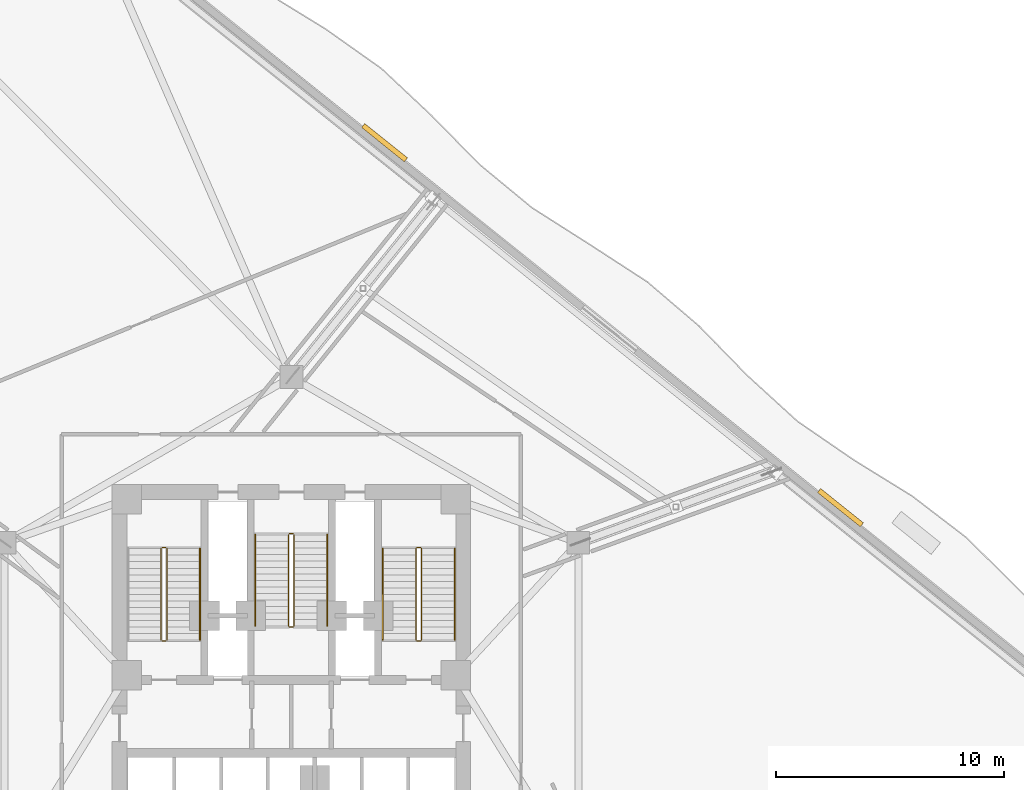
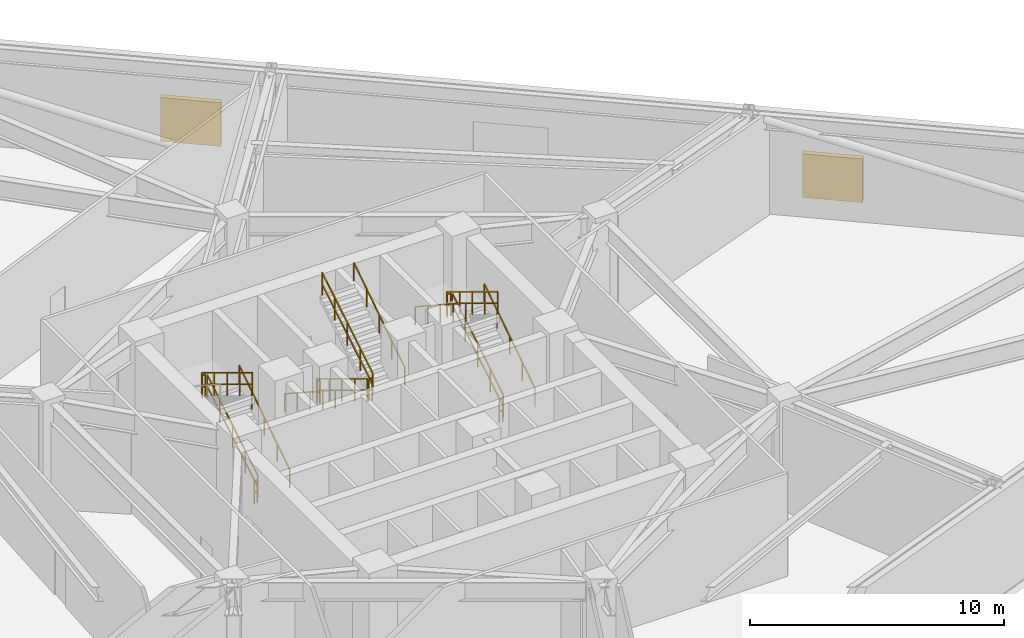
# One storey, part 17 of 18: 17 railings, 2 shading devices.
"""IFC4 building model written with IfcOpenShell, lengths in metres."""

import ifcopenshell
import ifcopenshell.guid

model = None  # the IFC model being written
_history = None  # IfcOwnerHistory: only IFC2X3 demands one
_inside = {}  # id of a spatial element -> (the spatial element, [elements in it])
_under = {}  # id of a project, library or spatial element -> (it, [spatial elements below it])
_declared = {}  # id of a project -> (the project, [libraries it declares])
_typed = {}  # id of a type object -> (the type object, [elements of that type])
_made_of = {}  # id of a material, layer set ... -> (it, [elements and type objects made of it])


def new_model(schema):
    """Start an empty IFC model of exactly this schema.

    Asked for "IFC4X3", IfcOpenShell would pick the latest addendum, in which some entities
    have other attributes; the version numbers below select the first issue.
    IFC2X3 requires an IfcOwnerHistory on every rooted entity: one is made here for all.
    """
    global model, _history
    if schema == "IFC4X3":
        model = ifcopenshell.file(schema_version=(4, 3, 0, 0))
    else:
        model = ifcopenshell.file(schema=schema)
    _inside.clear()
    _under.clear()
    _declared.clear()
    _typed.clear()
    _made_of.clear()
    _history = None
    if model.schema == "IFC2X3":
        org = make("IfcOrganization", Name="unknown")
        user = make(
            "IfcPersonAndOrganization",
            ThePerson=make("IfcPerson", FamilyName="unknown"),
            TheOrganization=org,
        )
        app = make(
            "IfcApplication",
            ApplicationDeveloper=org,
            Version="unknown",
            ApplicationFullName="unknown",
            ApplicationIdentifier="unknown",
        )
        _history = make(
            "IfcOwnerHistory",
            OwningUser=user,
            OwningApplication=app,
            ChangeAction="ADDED",
            CreationDate=0,
        )
    return model


def make(cls, **values):
    """One entity of the class cls with the attributes given. An attribute that is None is left unset."""
    return model.create_entity(
        cls, **{name: value for name, value in values.items() if value is not None}
    )


def rooted(cls, **values):
    """An entity with a GlobalId (a new one), such as an element, a storey or a relation."""
    return make(cls, GlobalId=ifcopenshell.guid.new(), OwnerHistory=_history, **values)


def si_unit(unit_type, name, prefix=None):
    """IfcSIUnit, for example si_unit("LENGTHUNIT", "METRE", prefix="MILLI")."""
    return make("IfcSIUnit", UnitType=unit_type, Prefix=prefix, Name=name)


def assignment(units):
    """IfcUnitAssignment: the units of a project."""
    return None if units is None else make("IfcUnitAssignment", Units=units)


def point(xyz):
    """IfcCartesianPoint."""
    return None if xyz is None else make("IfcCartesianPoint", Coordinates=xyz)


def direction(xyz):
    """IfcDirection."""
    return None if xyz is None else make("IfcDirection", DirectionRatios=xyz)


def frame(location, z_axis=None, x_axis=None):
    """IfcAxis2Placement3D, a coordinate frame: its origin and axes. An axis left out is left unset."""
    return make(
        "IfcAxis2Placement3D",
        Location=point(location),
        Axis=direction(z_axis),
        RefDirection=direction(x_axis),
    )


def frame_2d(location, x_axis=None):
    """IfcAxis2Placement2D, a coordinate frame in the plane: its origin and x axis."""
    return make(
        "IfcAxis2Placement2D", Location=point(location), RefDirection=direction(x_axis)
    )


def origin():
    """The frame at (0, 0, 0) with its axes left unset."""
    return frame((0.0, 0.0, 0.0))


def origin_2d():
    """The frame at (0, 0) in the plane with its x axis left unset."""
    return frame_2d((0.0, 0.0))


def place(relative_to, where):
    """IfcLocalPlacement: puts the frame where relative to a parent placement (None: the world)."""
    return make(
        "IfcLocalPlacement", PlacementRelTo=relative_to, RelativePlacement=where
    )


def context(
    kind, dimensions, precision=None, world=None, true_north=None, identifier=None
):
    """IfcGeometricRepresentationContext, for example the 3D "Model" context."""
    return make(
        "IfcGeometricRepresentationContext",
        ContextIdentifier=identifier,
        ContextType=kind,
        CoordinateSpaceDimension=dimensions,
        Precision=precision,
        WorldCoordinateSystem=world,
        TrueNorth=true_north,
    )


def subcontext(parent, identifier, kind, view, scale=None):
    """IfcGeometricRepresentationSubContext, for example "Body" below "Model"."""
    return make(
        "IfcGeometricRepresentationSubContext",
        ContextIdentifier=identifier,
        ContextType=kind,
        ParentContext=parent,
        TargetScale=scale,
        TargetView=view,
    )


def project(units=None, contexts=None):
    """IfcProject with its units and contexts."""
    return rooted(
        "IfcProject",
        Name="project",
        RepresentationContexts=contexts,
        UnitsInContext=assignment(units),
    )


def spatial(cls, under=None, at=None, **own):
    """A site, building, storey or space (cls), placed at a placement, below another one or the project."""
    s = rooted(cls, ObjectPlacement=at, **own)
    if under is not None:
        _under.setdefault(under.id(), (under, []))[1].append(s)
    return s


def profile(cls, at=None, kind="AREA", **sizes):
    """A parametric profile (cls). Its sizes go by their IFC names, for example OverallWidth=200.0."""
    return make(cls, ProfileType=kind, Position=at, **sizes)


def rectangle(**sizes):
    """IfcRectangleProfileDef."""
    return profile("IfcRectangleProfileDef", **sizes)


def extrude(swept, where, along, depth):
    """IfcExtrudedAreaSolid: the profile swept, set in the frame where, extruded along a direction by depth."""
    return make(
        "IfcExtrudedAreaSolid",
        SweptArea=swept,
        Position=where,
        ExtrudedDirection=direction(along),
        Depth=depth,
    )


def shape(context_of_items, identifier, shape_type, items):
    """IfcShapeRepresentation: the items that make up one representation, for example the "Body"."""
    return make(
        "IfcShapeRepresentation",
        ContextOfItems=context_of_items,
        RepresentationIdentifier=identifier,
        RepresentationType=shape_type,
        Items=items,
    )


def material(Name=None, Category=None):
    """IfcMaterial."""
    return make("IfcMaterial", Name=Name, Category=Category)


def made_of(thing, what):
    """Note that an element or type object is made of a material, layer set ...; save() writes the relation."""
    if what is not None:
        _made_of.setdefault(what.id(), (what, []))[1].append(thing)
    return thing


def type_object(cls, material=None, **own):
    """A type object (cls), such as IfcWallType, which elements share."""
    return made_of(rooted(cls, **own), material)


def element(
    cls,
    number,
    at=None,
    inside=None,
    cuts=None,
    type_object=None,
    material=None,
    context=None,
    identifier="Body",
    shape_type=None,
    held_by="IfcProductDefinitionShape",
    body=None,
    shapes=None,
    **own,
):
    """One element of the class cls, such as IfcWall. Its Tag is "e" and its number.

    at: its placement. inside: the storey or other place that contains it. cuts: it is an
    opening in that element (IfcRelVoidsElement). A single representation is given by context,
    identifier, shape_type and body (its items); several are given by shapes. held_by: the class
    of the entity that holds the representations. save() writes the other relations.
    """
    e = rooted(cls, Tag="e%d" % number, ObjectPlacement=at, **own)
    if body is not None:
        shapes = [shape(context, identifier, shape_type, body)]
    if shapes is not None:
        e.Representation = make(held_by, Representations=shapes)
    if inside is not None:
        _inside.setdefault(inside.id(), (inside, []))[1].append(e)
    if cuts is not None:
        rooted(
            "IfcRelVoidsElement", RelatingBuildingElement=cuts, RelatedOpeningElement=e
        )
    if type_object is not None:
        _typed.setdefault(type_object.id(), (type_object, []))[1].append(e)
    return made_of(e, material)


def aggregate(whole, parts):
    """IfcRelAggregates: a whole, such as a stair, and the parts it consists of."""
    return rooted("IfcRelAggregates", RelatingObject=whole, RelatedObjects=parts)


def save(model, path):
    """Write the relations noted so far, then the file.

    IfcRelAggregates (storeys below a building ...), IfcRelContainedInSpatialStructure (elements
    in a storey), IfcRelDefinesByType, IfcRelAssociatesMaterial and IfcRelDeclares: one each for
    every whole, place, type object, material and project.
    """
    for whole, parts in _under.values():
        aggregate(whole, parts)
    for where, things in _inside.values():
        rooted(
            "IfcRelContainedInSpatialStructure",
            RelatedElements=things,
            RelatingStructure=where,
        )
    for kind, things in _typed.values():
        rooted("IfcRelDefinesByType", RelatedObjects=things, RelatingType=kind)
    for what, things in _made_of.values():
        rooted("IfcRelAssociatesMaterial", RelatedObjects=things, RelatingMaterial=what)
    for by, libraries in _declared.values():
        rooted("IfcRelDeclares", RelatingContext=by, RelatedDefinitions=libraries)
    model.write(path)


model = new_model("IFC4")

# Units and contexts
model_context = context("Model", 3, precision=1e-05, world=origin(), true_north=direction((0.0, 1.0)))
body_context = subcontext(model_context, "Body", "Model", "MODEL_VIEW")
ifc_project = project(units=[si_unit("LENGTHUNIT", "METRE"), si_unit("AREAUNIT", "SQUARE_METRE"), si_unit("VOLUMEUNIT", "CUBIC_METRE"), si_unit("PLANEANGLEUNIT", "RADIAN"), si_unit("MASSUNIT", "GRAM", prefix="KILO")], contexts=[model_context])

# Site, building, storey
site_placement = place(None, origin())
site = spatial("IfcSite", under=ifc_project, at=site_placement, CompositionType="ELEMENT")
building_placement = place(site_placement, origin())
building = spatial("IfcBuilding", under=site, at=building_placement, Name="Apsidion Concourse Tower", CompositionType="ELEMENT")
storey_placement = place(building_placement, frame((0.0, 0.0, 127.0)))
storey = spatial("IfcBuildingStorey", under=building, at=storey_placement, Name="L29", CompositionType="ELEMENT", Elevation=127.0)

# Railings
ifc_material_1 = material(Name="Brushed stainless steel 316", Category="steel")
railing_type_1 = type_object("IfcRailingType", Name="RL-GUARD-1100", PredefinedType="GUARDRAIL", material=ifc_material_1)
railing_1_placement = place(storey_placement, frame((-5.449951171875, 3.0, 0.17333984375)))
element("IfcRailing", 1, at=railing_1_placement, inside=storey, type_object=railing_type_1, Name="L29 ST1 stair guard 1", PredefinedType="GUARDRAIL", context=body_context, shape_type="SweptSolid", body=[
    extrude(rectangle(XDim=0.048095703125, YDim=0.048095703125, at=origin_2d()), frame((0.0, 0.0, 1.09619140625), z_axis=(0.0, 0.854382233033, 0.519645071061), x_axis=(-1.0, 0.0, 0.0)), (0.0, 0.0, 1.0), 4.669921875),
    extrude(rectangle(XDim=0.048095703125, YDim=0.048095703125, at=origin_2d()), frame((0.0, 0.0, 0.5361328125), z_axis=(0.0, 0.854382233033, 0.519645071061), x_axis=(-1.0, 0.0, 0.0)), (0.0, 0.0, 1.0), 4.669921875),
    extrude(rectangle(XDim=0.0419921875, YDim=0.0419921875, at=origin_2d()), origin(), (0.0, 0.0, 1.0), 1.072021484375),
    extrude(rectangle(XDim=0.0419921875, YDim=0.0419921875, at=origin_2d()), frame((0.0, 0.99755859375, 0.606689453125)), (0.0, 0.0, 1.0), 1.072021484375),
    extrude(rectangle(XDim=0.0419921875, YDim=0.0419921875, at=origin_2d()), frame((0.0, 1.9951171875, 1.21337890625)), (0.0, 0.0, 1.0), 1.072021484375),
    extrude(rectangle(XDim=0.0419921875, YDim=0.0419921875, at=origin_2d()), frame((0.0, 2.992431640625, 1.820068359375)), (0.0, 0.0, 1.0), 1.072021484375),
    extrude(rectangle(XDim=0.0419921875, YDim=0.0419921875, at=origin_2d()), frame((0.0, 3.989990234375, 2.4267578125)), (0.0, 0.0, 1.0), 1.072021484375),
])
railing_2_placement = place(storey_placement, frame((-5.5, 7.0400390625, 2.60009765625)))
element("IfcRailing", 2, at=railing_2_placement, inside=storey, type_object=railing_type_1, Name="L29 ST1 stair guard 2", PredefinedType="GUARDRAIL", context=body_context, shape_type="SweptSolid", body=[
    extrude(rectangle(XDim=0.048095703125, YDim=0.048095703125, at=origin_2d()), frame((0.0, 0.0, 1.09619140625), z_axis=(-1.0, 0.0, 0.0), x_axis=(0.0, -1.0, 0.0)), (0.0, 0.0, 1.0), 0.14990234375),
    extrude(rectangle(XDim=0.048095703125, YDim=0.048095703125, at=origin_2d()), frame((0.0, 0.0, 0.5361328125), z_axis=(-1.0, 0.0, 0.0), x_axis=(0.0, -1.0, 0.0)), (0.0, 0.0, 1.0), 0.14990234375),
    extrude(rectangle(XDim=0.0419921875, YDim=0.0419921875, at=origin_2d()), origin(), (0.0, 0.0, 1.0), 1.072021484375),
    extrude(rectangle(XDim=0.0419921875, YDim=0.0419921875, at=origin_2d()), frame((-0.14990234375, 0.0, 0.0)), (0.0, 0.0, 1.0), 1.072021484375),
])
railing_3_placement = place(storey_placement, frame((-5.699951171875, 6.989990234375, 2.7734375)))
element("IfcRailing", 3, at=railing_3_placement, inside=storey, type_object=railing_type_1, Name="L29 ST1 stair guard 3", PredefinedType="GUARDRAIL", context=body_context, shape_type="SweptSolid", body=[
    extrude(rectangle(XDim=0.048095703125, YDim=0.048095703125, at=origin_2d()), frame((0.0, 0.0, 1.09619140625), z_axis=(0.0, -0.854405443041, 0.519606908058), x_axis=(1.0, 0.0, 0.0)), (0.0, 0.0, 1.0), 4.669921875),
    extrude(rectangle(XDim=0.048095703125, YDim=0.048095703125, at=origin_2d()), frame((0.0, 0.0, 0.5361328125), z_axis=(0.0, -0.854405443041, 0.519606908058), x_axis=(1.0, 0.0, 0.0)), (0.0, 0.0, 1.0), 4.669921875),
    extrude(rectangle(XDim=0.0419921875, YDim=0.0419921875, at=origin_2d()), origin(), (0.0, 0.0, 1.0), 1.072021484375),
    extrude(rectangle(XDim=0.0419921875, YDim=0.0419921875, at=origin_2d()), frame((0.0, -0.99755859375, 0.606689453125)), (0.0, 0.0, 1.0), 1.072021484375),
    extrude(rectangle(XDim=0.0419921875, YDim=0.0419921875, at=origin_2d()), frame((0.0, -1.9951171875, 1.21337890625)), (0.0, 0.0, 1.0), 1.072021484375),
    extrude(rectangle(XDim=0.0419921875, YDim=0.0419921875, at=origin_2d()), frame((0.0, -2.992431640625, 1.81982421875)), (0.0, 0.0, 1.0), 1.072021484375),
    extrude(rectangle(XDim=0.0419921875, YDim=0.0419921875, at=origin_2d()), frame((0.0, -3.989990234375, 2.426513671875)), (0.0, 0.0, 1.0), 1.072021484375),
])
railing_4_placement = place(storey_placement, frame((-5.5, 2.949951171875, 0.0)))
element("IfcRailing", 4, at=railing_4_placement, inside=storey, type_object=railing_type_1, Name="L29 ST1 stair guard 4", PredefinedType="GUARDRAIL", context=body_context, shape_type="SweptSolid", body=[
    extrude(rectangle(XDim=0.048095703125, YDim=0.048095703125, at=origin_2d()), frame((0.0, 0.0, 1.09619140625), z_axis=(-1.0, 0.0, 0.0), x_axis=(0.0, -1.0, 0.0)), (0.0, 0.0, 1.0), 0.14990234375),
    extrude(rectangle(XDim=0.048095703125, YDim=0.048095703125, at=origin_2d()), frame((0.0, 0.0, 0.5361328125), z_axis=(-1.0, 0.0, 0.0), x_axis=(0.0, -1.0, 0.0)), (0.0, 0.0, 1.0), 0.14990234375),
    extrude(rectangle(XDim=0.0419921875, YDim=0.0419921875, at=origin_2d()), origin(), (0.0, 0.0, 1.0), 1.072021484375),
    extrude(rectangle(XDim=0.0419921875, YDim=0.0419921875, at=origin_2d()), frame((-0.14990234375, 0.0, 0.0)), (0.0, 0.0, 1.0), 1.072021484375),
])
railing_5_placement = place(storey_placement, frame((5.699951171875, 3.0, 0.17333984375)))
element("IfcRailing", 5, at=railing_5_placement, inside=storey, type_object=railing_type_1, Name="L29 ST2 stair guard 1", PredefinedType="GUARDRAIL", context=body_context, shape_type="SweptSolid", body=[
    extrude(rectangle(XDim=0.048095703125, YDim=0.048095703125, at=origin_2d()), frame((0.0, 0.0, 1.09619140625), z_axis=(0.0, 0.854382233033, 0.519645071061), x_axis=(-1.0, 0.0, 0.0)), (0.0, 0.0, 1.0), 4.669921875),
    extrude(rectangle(XDim=0.048095703125, YDim=0.048095703125, at=origin_2d()), frame((0.0, 0.0, 0.5361328125), z_axis=(0.0, 0.854382233033, 0.519645071061), x_axis=(-1.0, 0.0, 0.0)), (0.0, 0.0, 1.0), 4.669921875),
    extrude(rectangle(XDim=0.0419921875, YDim=0.0419921875, at=origin_2d()), origin(), (0.0, 0.0, 1.0), 1.072021484375),
    extrude(rectangle(XDim=0.0419921875, YDim=0.0419921875, at=origin_2d()), frame((0.0, 0.99755859375, 0.606689453125)), (0.0, 0.0, 1.0), 1.072021484375),
    extrude(rectangle(XDim=0.0419921875, YDim=0.0419921875, at=origin_2d()), frame((0.0, 1.9951171875, 1.21337890625)), (0.0, 0.0, 1.0), 1.072021484375),
    extrude(rectangle(XDim=0.0419921875, YDim=0.0419921875, at=origin_2d()), frame((0.0, 2.992431640625, 1.820068359375)), (0.0, 0.0, 1.0), 1.072021484375),
    extrude(rectangle(XDim=0.0419921875, YDim=0.0419921875, at=origin_2d()), frame((0.0, 3.989990234375, 2.4267578125)), (0.0, 0.0, 1.0), 1.072021484375),
])
railing_6_placement = place(storey_placement, frame((5.64990234375, 7.0400390625, 2.60009765625)))
element("IfcRailing", 6, at=railing_6_placement, inside=storey, type_object=railing_type_1, Name="L29 ST2 stair guard 2", PredefinedType="GUARDRAIL", context=body_context, shape_type="SweptSolid", body=[
    extrude(rectangle(XDim=0.048095703125, YDim=0.048095703125, at=origin_2d()), frame((0.0, 0.0, 1.09619140625), z_axis=(-1.0, 0.0, 0.0), x_axis=(0.0, -1.0, 0.0)), (0.0, 0.0, 1.0), 0.14990234375),
    extrude(rectangle(XDim=0.048095703125, YDim=0.048095703125, at=origin_2d()), frame((0.0, 0.0, 0.5361328125), z_axis=(-1.0, 0.0, 0.0), x_axis=(0.0, -1.0, 0.0)), (0.0, 0.0, 1.0), 0.14990234375),
    extrude(rectangle(XDim=0.0419921875, YDim=0.0419921875, at=origin_2d()), origin(), (0.0, 0.0, 1.0), 1.072021484375),
    extrude(rectangle(XDim=0.0419921875, YDim=0.0419921875, at=origin_2d()), frame((-0.14990234375, 0.0, 0.0)), (0.0, 0.0, 1.0), 1.072021484375),
])
railing_7_placement = place(storey_placement, frame((5.449951171875, 6.989990234375, 2.7734375)))
element("IfcRailing", 7, at=railing_7_placement, inside=storey, type_object=railing_type_1, Name="L29 ST2 stair guard 3", PredefinedType="GUARDRAIL", context=body_context, shape_type="SweptSolid", body=[
    extrude(rectangle(XDim=0.048095703125, YDim=0.048095703125, at=origin_2d()), frame((0.0, 0.0, 1.09619140625), z_axis=(0.0, -0.854405443041, 0.519606908058), x_axis=(1.0, 0.0, 0.0)), (0.0, 0.0, 1.0), 4.669921875),
    extrude(rectangle(XDim=0.048095703125, YDim=0.048095703125, at=origin_2d()), frame((0.0, 0.0, 0.5361328125), z_axis=(0.0, -0.854405443041, 0.519606908058), x_axis=(1.0, 0.0, 0.0)), (0.0, 0.0, 1.0), 4.669921875),
    extrude(rectangle(XDim=0.0419921875, YDim=0.0419921875, at=origin_2d()), origin(), (0.0, 0.0, 1.0), 1.072021484375),
    extrude(rectangle(XDim=0.0419921875, YDim=0.0419921875, at=origin_2d()), frame((0.0, -0.99755859375, 0.606689453125)), (0.0, 0.0, 1.0), 1.072021484375),
    extrude(rectangle(XDim=0.0419921875, YDim=0.0419921875, at=origin_2d()), frame((0.0, -1.9951171875, 1.21337890625)), (0.0, 0.0, 1.0), 1.072021484375),
    extrude(rectangle(XDim=0.0419921875, YDim=0.0419921875, at=origin_2d()), frame((0.0, -2.992431640625, 1.81982421875)), (0.0, 0.0, 1.0), 1.072021484375),
    extrude(rectangle(XDim=0.0419921875, YDim=0.0419921875, at=origin_2d()), frame((0.0, -3.989990234375, 2.426513671875)), (0.0, 0.0, 1.0), 1.072021484375),
])
railing_8_placement = place(storey_placement, frame((5.64990234375, 2.949951171875, 0.0)))
element("IfcRailing", 8, at=railing_8_placement, inside=storey, type_object=railing_type_1, Name="L29 ST2 stair guard 4", PredefinedType="GUARDRAIL", context=body_context, shape_type="SweptSolid", body=[
    extrude(rectangle(XDim=0.048095703125, YDim=0.048095703125, at=origin_2d()), frame((0.0, 0.0, 1.09619140625), z_axis=(-1.0, 0.0, 0.0), x_axis=(0.0, -1.0, 0.0)), (0.0, 0.0, 1.0), 0.14990234375),
    extrude(rectangle(XDim=0.048095703125, YDim=0.048095703125, at=origin_2d()), frame((0.0, 0.0, 0.5361328125), z_axis=(-1.0, 0.0, 0.0), x_axis=(0.0, -1.0, 0.0)), (0.0, 0.0, 1.0), 0.14990234375),
    extrude(rectangle(XDim=0.0419921875, YDim=0.0419921875, at=origin_2d()), origin(), (0.0, 0.0, 1.0), 1.072021484375),
    extrude(rectangle(XDim=0.0419921875, YDim=0.0419921875, at=origin_2d()), frame((-0.14990234375, 0.0, 0.0)), (0.0, 0.0, 1.0), 1.072021484375),
])
railing_9_placement = place(storey_placement, frame((-0.125, 7.60009765625, 0.17333984375)))
element("IfcRailing", 9, at=railing_9_placement, inside=storey, type_object=railing_type_1, Name="L29 ST3 stair guard 1", PredefinedType="GUARDRAIL", context=body_context, shape_type="SweptSolid", body=[
    extrude(rectangle(XDim=0.048095703125, YDim=0.048095703125, at=origin_2d()), frame((0.0, 0.0, 1.09619140625), z_axis=(0.0, -0.854382233033, 0.519645071061), x_axis=(1.0, 0.0, 0.0)), (0.0, 0.0, 1.0), 4.669921875),
    extrude(rectangle(XDim=0.048095703125, YDim=0.048095703125, at=origin_2d()), frame((0.0, 0.0, 0.5361328125), z_axis=(0.0, -0.854382233033, 0.519645071061), x_axis=(1.0, 0.0, 0.0)), (0.0, 0.0, 1.0), 4.669921875),
    extrude(rectangle(XDim=0.0419921875, YDim=0.0419921875, at=origin_2d()), origin(), (0.0, 0.0, 1.0), 1.072021484375),
    extrude(rectangle(XDim=0.0419921875, YDim=0.0419921875, at=origin_2d()), frame((0.0, -0.99755859375, 0.606689453125)), (0.0, 0.0, 1.0), 1.072021484375),
    extrude(rectangle(XDim=0.0419921875, YDim=0.0419921875, at=origin_2d()), frame((0.0, -1.9951171875, 1.21337890625)), (0.0, 0.0, 1.0), 1.072021484375),
    extrude(rectangle(XDim=0.0419921875, YDim=0.0419921875, at=origin_2d()), frame((0.0, -2.992431640625, 1.820068359375)), (0.0, 0.0, 1.0), 1.072021484375),
    extrude(rectangle(XDim=0.0419921875, YDim=0.0419921875, at=origin_2d()), frame((0.0, -3.989990234375, 2.4267578125)), (0.0, 0.0, 1.0), 1.072021484375),
])
railing_10_placement = place(storey_placement, frame((-0.074951171875, 3.56005859375, 2.60009765625)))
element("IfcRailing", 10, at=railing_10_placement, inside=storey, type_object=railing_type_1, Name="L29 ST3 stair guard 2", PredefinedType="GUARDRAIL", context=body_context, shape_type="SweptSolid", body=[
    extrude(rectangle(XDim=0.048095703125, YDim=0.048095703125, at=origin_2d()), frame((0.0, 0.0, 1.09619140625), z_axis=(1.0, 0.0, 0.0), x_axis=(0.0, 1.0, 0.0)), (0.0, 0.0, 1.0), 0.14990234375),
    extrude(rectangle(XDim=0.048095703125, YDim=0.048095703125, at=origin_2d()), frame((0.0, 0.0, 0.5361328125), z_axis=(1.0, 0.0, 0.0), x_axis=(0.0, 1.0, 0.0)), (0.0, 0.0, 1.0), 0.14990234375),
    extrude(rectangle(XDim=0.0419921875, YDim=0.0419921875, at=origin_2d()), origin(), (0.0, 0.0, 1.0), 1.072021484375),
    extrude(rectangle(XDim=0.0419921875, YDim=0.0419921875, at=origin_2d()), frame((0.14990234375, 0.0, 0.0)), (0.0, 0.0, 1.0), 1.072021484375),
])
railing_11_placement = place(storey_placement, frame((0.125, 3.610107421875, 2.7734375)))
element("IfcRailing", 11, at=railing_11_placement, inside=storey, type_object=railing_type_1, Name="L29 ST3 stair guard 3", PredefinedType="GUARDRAIL", context=body_context, shape_type="SweptSolid", body=[
    extrude(rectangle(XDim=0.048095703125, YDim=0.048095703125, at=origin_2d()), frame((0.0, 0.0, 1.09619140625), z_axis=(0.0, 0.854405443041, 0.519606908058), x_axis=(-1.0, 0.0, 0.0)), (0.0, 0.0, 1.0), 4.669921875),
    extrude(rectangle(XDim=0.048095703125, YDim=0.048095703125, at=origin_2d()), frame((0.0, 0.0, 0.5361328125), z_axis=(0.0, 0.854405443041, 0.519606908058), x_axis=(-1.0, 0.0, 0.0)), (0.0, 0.0, 1.0), 4.669921875),
    extrude(rectangle(XDim=0.0419921875, YDim=0.0419921875, at=origin_2d()), origin(), (0.0, 0.0, 1.0), 1.072021484375),
    extrude(rectangle(XDim=0.0419921875, YDim=0.0419921875, at=origin_2d()), frame((0.0, 0.99755859375, 0.606689453125)), (0.0, 0.0, 1.0), 1.072021484375),
    extrude(rectangle(XDim=0.0419921875, YDim=0.0419921875, at=origin_2d()), frame((0.0, 1.9951171875, 1.21337890625)), (0.0, 0.0, 1.0), 1.072021484375),
    extrude(rectangle(XDim=0.0419921875, YDim=0.0419921875, at=origin_2d()), frame((0.0, 2.992431640625, 1.81982421875)), (0.0, 0.0, 1.0), 1.072021484375),
    extrude(rectangle(XDim=0.0419921875, YDim=0.0419921875, at=origin_2d()), frame((0.0, 3.989990234375, 2.426513671875)), (0.0, 0.0, 1.0), 1.072021484375),
])
railing_12_placement = place(storey_placement, frame((-0.074951171875, 7.64990234375, 0.0)))
element("IfcRailing", 12, at=railing_12_placement, inside=storey, type_object=railing_type_1, Name="L29 ST3 stair guard 4", PredefinedType="GUARDRAIL", context=body_context, shape_type="SweptSolid", body=[
    extrude(rectangle(XDim=0.048095703125, YDim=0.048095703125, at=origin_2d()), frame((0.0, 0.0, 1.09619140625), z_axis=(1.0, 0.0, 0.0), x_axis=(0.0, 1.0, 0.0)), (0.0, 0.0, 1.0), 0.14990234375),
    extrude(rectangle(XDim=0.048095703125, YDim=0.048095703125, at=origin_2d()), frame((0.0, 0.0, 0.5361328125), z_axis=(1.0, 0.0, 0.0), x_axis=(0.0, 1.0, 0.0)), (0.0, 0.0, 1.0), 0.14990234375),
    extrude(rectangle(XDim=0.0419921875, YDim=0.0419921875, at=origin_2d()), origin(), (0.0, 0.0, 1.0), 1.072021484375),
    extrude(rectangle(XDim=0.0419921875, YDim=0.0419921875, at=origin_2d()), frame((0.14990234375, 0.0, 0.0)), (0.0, 0.0, 1.0), 1.072021484375),
])
railing_type_2 = type_object("IfcRailingType", Name="RL-HAND-900", PredefinedType="HANDRAIL", material=ifc_material_1)
for number, where, name in (
    (13, (-4.0, 3.0, 0.17333984375), "L29 ST1 stair handrail 1"),
    (14, (7.14990234375, 3.0, 0.17333984375), "L29 ST2 stair handrail 1"),
):
    element("IfcRailing", number, at=place(storey_placement, frame(where)), inside=storey, type_object=railing_type_2, Name=name, PredefinedType="HANDRAIL", context=body_context, shape_type="SweptSolid", body=[
        extrude(rectangle(XDim=0.048095703125, YDim=0.048095703125, at=origin_2d()), frame((0.0, 0.0, 0.8759765625), z_axis=(0.0, 0.83780941074, 0.545962811257), x_axis=(-1.0, 0.0, 0.0)), (0.0, 0.0, 1.0), 4.762451171875),
        extrude(rectangle(XDim=0.0419921875, YDim=0.0419921875, at=origin_2d()), origin(), (0.0, 0.0, 1.0), 0.851806640625),
        extrude(rectangle(XDim=0.0419921875, YDim=0.0419921875, at=origin_2d()), frame((0.0, 0.99755859375, 0.64990234375)), (0.0, 0.0, 1.0), 0.851806640625),
        extrude(rectangle(XDim=0.0419921875, YDim=0.0419921875, at=origin_2d()), frame((0.0, 1.9951171875, 1.300048828125)), (0.0, 0.0, 1.0), 0.851806640625),
        extrude(rectangle(XDim=0.0419921875, YDim=0.0419921875, at=origin_2d()), frame((0.0, 2.992431640625, 1.9501953125)), (0.0, 0.0, 1.0), 0.851806640625),
        extrude(rectangle(XDim=0.0419921875, YDim=0.0419921875, at=origin_2d()), frame((0.0, 3.989990234375, 2.60009765625)), (0.0, 0.0, 1.0), 0.851806640625),
    ])
railing_13_placement = place(storey_placement, frame((4.0, 6.989990234375, 2.7734375)))
element("IfcRailing", 15, at=railing_13_placement, inside=storey, type_object=railing_type_2, Name="L29 ST2 stair handrail 2", PredefinedType="HANDRAIL", context=body_context, shape_type="SweptSolid", body=[
    extrude(rectangle(XDim=0.048095703125, YDim=0.048095703125, at=origin_2d()), frame((0.0, 0.0, 0.8759765625), z_axis=(0.0, -0.837832859484, 0.545926826204), x_axis=(1.0, 0.0, 0.0)), (0.0, 0.0, 1.0), 4.76220703125),
    extrude(rectangle(XDim=0.0419921875, YDim=0.0419921875, at=origin_2d()), origin(), (0.0, 0.0, 1.0), 0.851806640625),
    extrude(rectangle(XDim=0.0419921875, YDim=0.0419921875, at=origin_2d()), frame((0.0, -0.99755859375, 0.64990234375)), (0.0, 0.0, 1.0), 0.851806640625),
    extrude(rectangle(XDim=0.0419921875, YDim=0.0419921875, at=origin_2d()), frame((0.0, -1.9951171875, 1.2998046875)), (0.0, 0.0, 1.0), 0.851806640625),
    extrude(rectangle(XDim=0.0419921875, YDim=0.0419921875, at=origin_2d()), frame((0.0, -2.992431640625, 1.949951171875)), (0.0, 0.0, 1.0), 0.851806640625),
    extrude(rectangle(XDim=0.0419921875, YDim=0.0419921875, at=origin_2d()), frame((0.0, -3.989990234375, 2.599853515625)), (0.0, 0.0, 1.0), 0.851806640625),
])
railing_14_placement = place(storey_placement, frame((-1.574951171875, 7.60009765625, 0.17333984375)))
element("IfcRailing", 16, at=railing_14_placement, inside=storey, type_object=railing_type_2, Name="L29 ST3 stair handrail 1", PredefinedType="HANDRAIL", context=body_context, shape_type="SweptSolid", body=[
    extrude(rectangle(XDim=0.048095703125, YDim=0.048095703125, at=origin_2d()), frame((0.0, 0.0, 0.8759765625), z_axis=(0.0, -0.83780941074, 0.545962811257), x_axis=(1.0, 0.0, 0.0)), (0.0, 0.0, 1.0), 4.762451171875),
    extrude(rectangle(XDim=0.0419921875, YDim=0.0419921875, at=origin_2d()), origin(), (0.0, 0.0, 1.0), 0.851806640625),
    extrude(rectangle(XDim=0.0419921875, YDim=0.0419921875, at=origin_2d()), frame((0.0, -0.99755859375, 0.64990234375)), (0.0, 0.0, 1.0), 0.851806640625),
    extrude(rectangle(XDim=0.0419921875, YDim=0.0419921875, at=origin_2d()), frame((0.0, -1.9951171875, 1.300048828125)), (0.0, 0.0, 1.0), 0.851806640625),
    extrude(rectangle(XDim=0.0419921875, YDim=0.0419921875, at=origin_2d()), frame((0.0, -2.992431640625, 1.9501953125)), (0.0, 0.0, 1.0), 0.851806640625),
    extrude(rectangle(XDim=0.0419921875, YDim=0.0419921875, at=origin_2d()), frame((0.0, -3.989990234375, 2.60009765625)), (0.0, 0.0, 1.0), 0.851806640625),
])
railing_15_placement = place(storey_placement, frame((1.574951171875, 3.610107421875, 2.7734375)))
element("IfcRailing", 17, at=railing_15_placement, inside=storey, type_object=railing_type_2, Name="L29 ST3 stair handrail 2", PredefinedType="HANDRAIL", context=body_context, shape_type="SweptSolid", body=[
    extrude(rectangle(XDim=0.048095703125, YDim=0.048095703125, at=origin_2d()), frame((0.0, 0.0, 0.8759765625), z_axis=(0.0, 0.837832859484, 0.545926826204), x_axis=(-1.0, 0.0, 0.0)), (0.0, 0.0, 1.0), 4.76220703125),
    extrude(rectangle(XDim=0.0419921875, YDim=0.0419921875, at=origin_2d()), origin(), (0.0, 0.0, 1.0), 0.851806640625),
    extrude(rectangle(XDim=0.0419921875, YDim=0.0419921875, at=origin_2d()), frame((0.0, 0.99755859375, 0.64990234375)), (0.0, 0.0, 1.0), 0.851806640625),
    extrude(rectangle(XDim=0.0419921875, YDim=0.0419921875, at=origin_2d()), frame((0.0, 1.9951171875, 1.2998046875)), (0.0, 0.0, 1.0), 0.851806640625),
    extrude(rectangle(XDim=0.0419921875, YDim=0.0419921875, at=origin_2d()), frame((0.0, 2.992431640625, 1.949951171875)), (0.0, 0.0, 1.0), 0.851806640625),
    extrude(rectangle(XDim=0.0419921875, YDim=0.0419921875, at=origin_2d()), frame((0.0, 3.989990234375, 2.599853515625)), (0.0, 0.0, 1.0), 0.851806640625),
])

# Shading devices
ifc_material_2 = material(Name="Anodised aluminium EN AW-6063 T6", Category="aluminium")
shading_device_type = type_object("IfcShadingDeviceType", Name="SH-LOUVRE-AL", PredefinedType="JALOUSIE", material=ifc_material_2)
for number, where, z_axis, x_axis, name in (
    (18, (4.08056640625, 24.762451171875, 0.75), (0.0, 0.0, 1.0), (0.780648610647, -0.624970196645, 0.0), "L29 Plant Acoustic Louvre Bank 1-1"),
    (19, (24.03515625, 8.788330078125, 0.75), (0.0, 0.0, 1.0), (0.780648610647, -0.624970196645, 0.0), "L29 Plant Acoustic Louvre Bank 1-2"),
):
    element("IfcShadingDevice", number, at=place(storey_placement, frame(where, z_axis=z_axis, x_axis=x_axis)), inside=storey, type_object=shading_device_type, Name=name, PredefinedType="JALOUSIE", context=body_context, shape_type="SweptSolid", body=[
        extrude(rectangle(XDim=2.39990234375, YDim=0.219970703125, at=origin_2d()), origin(), (0.0, 0.0, 1.0), 2.10009765625),
    ])

save(model, "model.ifc")
